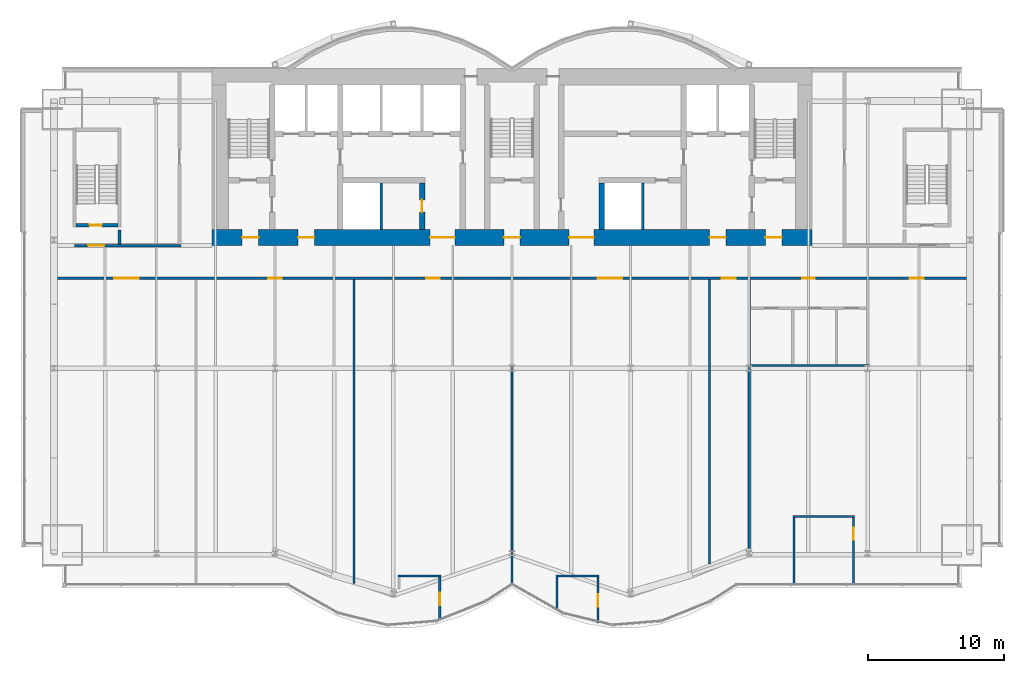
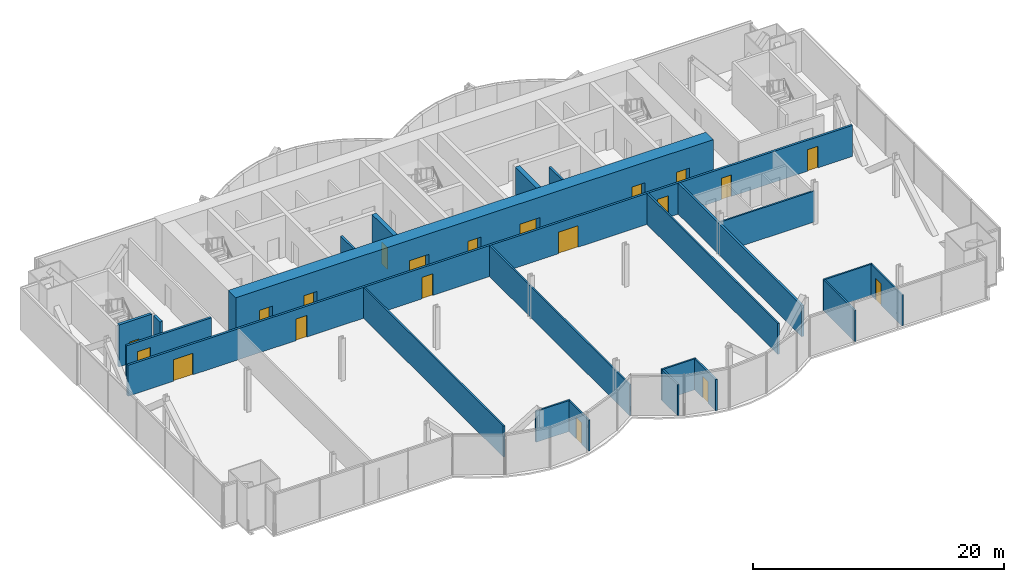
# One storey, part 15 of 21: 22 walls, 20 doors, 20 openings.
"""IFC4 building model written with IfcOpenShell, lengths in metres."""

from ifc_helpers import new_model, si_unit, direction, frame, frame_2d, origin, place, context, subcontext, project, spatial, rectangle, extrude, material, layer, layer_set, type_object, element, fill, save


model = new_model("IFC4")

# Units and contexts
model_context = context("Model", 3, precision=1e-05, world=origin(), true_north=direction((0.0, 1.0)))
body_context = subcontext(model_context, "Body", "Model", "MODEL_VIEW")
ifc_project = project(units=[si_unit("LENGTHUNIT", "METRE"), si_unit("AREAUNIT", "SQUARE_METRE"), si_unit("VOLUMEUNIT", "CUBIC_METRE"), si_unit("PLANEANGLEUNIT", "RADIAN"), si_unit("MASSUNIT", "GRAM", prefix="KILO")], contexts=[model_context])

# Site, building, storey
site_placement = place(None, origin())
site = spatial("IfcSite", under=ifc_project, at=site_placement, CompositionType="ELEMENT")
building_placement = place(site_placement, origin())
building = spatial("IfcBuilding", under=site, at=building_placement, Name="Bicima Exchange Tower", CompositionType="ELEMENT")
storey_placement = place(building_placement, frame((0.0, 0.0, 106.300048828125)))
storey = spatial("IfcBuildingStorey", under=building, at=storey_placement, Name="L22", CompositionType="ELEMENT", Elevation=106.300048828125)

# Walls
ifc_material_1 = material(Name="Gypsum board partition")
ifc_layer_1 = layer(ifc_material_1, 0.199951171875)
ifc_layer_set_1 = layer_set([ifc_layer_1], Name="Gypsum board partition")
wall_type_1 = type_object("IfcWallType", Name="Fire-rated gypsum partition 200 EI120", PredefinedType="PARTITIONING", material=ifc_layer_set_1)
for number, where, z_axis, x_axis, name in (
    (1, (-9.60009765625, -11.800048828125, 0.0), (0.0, 0.0, 1.0), (0.0, 1.0, 0.0), "partition wall 11"),
    (2, (9.60009765625, -11.800048828125, 0.0), (0.0, 0.0, 1.0), (0.0, 1.0, 0.0), "partition wall 20"),
):
    element("IfcWall", number, at=place(storey_placement, frame(where, z_axis=z_axis, x_axis=x_axis)), inside=storey, type_object=wall_type_1, Name=name, PredefinedType="PARTITIONING", context=body_context, shape_type="SweptSolid", body=[
        extrude(rectangle(XDim=3.400146484375, YDim=0.199951171875, at=frame_2d((1.7001953125, 0.0))), origin(), (0.0, 0.0, 1.0), 3.01806640625),
    ])

# Wall, openings, doors
ifc_layer_2 = layer(ifc_material_1, 0.199951171875)
ifc_layer_set_2 = layer_set([ifc_layer_2], Name="Gypsum board partition")
wall_type_2 = type_object("IfcWallType", Name="Fire-rated gypsum partition 200 EI60", PredefinedType="PARTITIONING", material=ifc_layer_set_2)
wall_1_placement = place(storey_placement, frame((-33.3701171875, -15.39990234375, 0.0), z_axis=(0.0, 0.0, 1.0), x_axis=(1.0, 0.0, 0.0)))
wall_1 = element("IfcWall", 3, at=wall_1_placement, inside=storey, type_object=wall_type_2, Name="partition wall 6", PredefinedType="PARTITIONING", context=body_context, shape_type="SweptSolid", body=[
    extrude(rectangle(XDim=66.740234375, YDim=0.199951171875, at=frame_2d((33.3701171875, 0.0))), origin(), (0.0, 0.0, 1.0), 3.01806640625),
])
opening_1_placement = place(wall_1_placement, frame((4.199951171875, 0.0, 0.0)))
opening_1 = element("IfcOpeningElement", 4, at=opening_1_placement, cuts=wall_1, Name="Opening L22-007", PredefinedType="OPENING", context=body_context, shape_type="SweptSolid", body=[
    extrude(rectangle(XDim=1.800048828125, YDim=2.10009765625, at=frame_2d((0.89990234375, 1.050048828125))), frame((0.0, 0.11181640625, 0.0), z_axis=(0.0, -1.0, 0.0), x_axis=(1.0, 0.0, 0.0)), (0.0, 0.0, 1.0), 0.223876953125),
])
opening_2_placement = place(wall_1_placement, frame((15.469970703125, 0.0, 0.0)))
opening_2 = element("IfcOpeningElement", 5, at=opening_2_placement, cuts=wall_1, Name="Opening L22-008", PredefinedType="OPENING", context=body_context, shape_type="SweptSolid", body=[
    extrude(rectangle(XDim=1.0, YDim=2.10009765625, at=frame_2d((0.5, 1.050048828125))), frame((0.0, 0.11181640625, 0.0), z_axis=(0.0, -1.0, 0.0), x_axis=(1.0, 0.0, 0.0)), (0.0, 0.0, 1.0), 0.223876953125),
])
opening_3_placement = place(wall_1_placement, frame((27.070068359375, 0.0, 0.0)))
opening_3 = element("IfcOpeningElement", 6, at=opening_3_placement, cuts=wall_1, Name="Opening L22-009", PredefinedType="OPENING", context=body_context, shape_type="SweptSolid", body=[
    extrude(rectangle(XDim=1.0, YDim=2.10009765625, at=frame_2d((0.5, 1.050048828125))), frame((0.0, 0.11181640625, 0.0), z_axis=(0.0, -1.0, 0.0), x_axis=(1.0, 0.0, 0.0)), (0.0, 0.0, 1.0), 0.223876953125),
])
opening_4_placement = place(wall_1_placement, frame((39.669921875, 0.0, 0.0)))
opening_4 = element("IfcOpeningElement", 7, at=opening_4_placement, cuts=wall_1, Name="Opening L22-010", PredefinedType="OPENING", context=body_context, shape_type="SweptSolid", body=[
    extrude(rectangle(XDim=1.800048828125, YDim=2.10009765625, at=frame_2d((0.89990234375, 1.050048828125))), frame((0.0, 0.11181640625, 0.0), z_axis=(0.0, -1.0, 0.0), x_axis=(1.0, 0.0, 0.0)), (0.0, 0.0, 1.0), 0.223876953125),
])
opening_5_placement = place(wall_1_placement, frame((48.77001953125, 0.0, 0.0)))
opening_5 = element("IfcOpeningElement", 8, at=opening_5_placement, cuts=wall_1, Name="Opening L22-011", PredefinedType="OPENING", context=body_context, shape_type="SweptSolid", body=[
    extrude(rectangle(XDim=1.0, YDim=2.10009765625, at=frame_2d((0.5, 1.050048828125))), frame((0.0, 0.11181640625, 0.0), z_axis=(0.0, -1.0, 0.0), x_axis=(1.0, 0.0, 0.0)), (0.0, 0.0, 1.0), 0.223876953125),
])
opening_6_placement = place(wall_1_placement, frame((54.669921875, 0.0, 0.0)))
opening_6 = element("IfcOpeningElement", 9, at=opening_6_placement, cuts=wall_1, Name="Opening L22-012", PredefinedType="OPENING", context=body_context, shape_type="SweptSolid", body=[
    extrude(rectangle(XDim=0.89990234375, YDim=2.10009765625, at=frame_2d((0.449951171875, 1.050048828125))), frame((0.0, 0.11181640625, 0.0), z_axis=(0.0, -1.0, 0.0), x_axis=(1.0, 0.0, 0.0)), (0.0, 0.0, 1.0), 0.223876953125),
])
opening_7_placement = place(wall_1_placement, frame((62.570068359375, 0.0, 0.0)))
opening_7 = element("IfcOpeningElement", 10, at=opening_7_placement, cuts=wall_1, Name="Opening L22-016", PredefinedType="OPENING", context=body_context, shape_type="SweptSolid", body=[
    extrude(rectangle(XDim=1.0, YDim=2.10009765625, at=frame_2d((0.5, 1.050048828125))), frame((0.0, 0.11181640625, 0.0), z_axis=(0.0, -1.0, 0.0), x_axis=(1.0, 0.0, 0.0)), (0.0, 0.0, 1.0), 0.223876953125),
])
ifc_material_2 = material(Name="Steel fire door leaf", Category="steel")
door_type_1 = type_object("IfcDoorType", Name="Door 1000 swing FD30S", OperationType="SINGLE_SWING_LEFT", PredefinedType="DOOR", material=ifc_material_2)
door_1_placement = place(opening_2_placement, frame((1.0, 0.0, 0.0), z_axis=(0.0, 0.0, 1.0), x_axis=(-1.0, 0.0, 0.0)))
door_1 = element("IfcDoor", 11, at=door_1_placement, inside=storey, type_object=door_type_1, Name="Door", OperationType="SINGLE_SWING_RIGHT", OverallHeight=2.10009765625, OverallWidth=1.0, PredefinedType="DOOR", context=body_context, shape_type="SweptSolid", body=[
    extrude(rectangle(XDim=1.0, YDim=2.10009765625, at=frame_2d((0.5, 1.050048828125))), frame((0.0, 0.02490234375, 0.0), z_axis=(0.0, -1.0, 0.0), x_axis=(1.0, 0.0, 0.0)), (0.0, 0.0, 1.0), 0.050048828125),
])
fill(opening_2, door_1)
door_2_placement = place(opening_3_placement, frame((1.0, 0.0, 0.0), z_axis=(0.0, 0.0, 1.0), x_axis=(-1.0, 0.0, 0.0)))
door_2 = element("IfcDoor", 12, at=door_2_placement, inside=storey, type_object=door_type_1, Name="Door", OperationType="SINGLE_SWING_RIGHT", OverallHeight=2.10009765625, OverallWidth=1.0, PredefinedType="DOOR", context=body_context, shape_type="SweptSolid", body=[
    extrude(rectangle(XDim=1.0, YDim=2.10009765625, at=frame_2d((0.5, 1.050048828125))), frame((0.0, 0.02490234375, 0.0), z_axis=(0.0, -1.0, 0.0), x_axis=(1.0, 0.0, 0.0)), (0.0, 0.0, 1.0), 0.050048828125),
])
fill(opening_3, door_2)
door_3_placement = place(opening_5_placement, frame((1.0, 0.0, 0.0), z_axis=(0.0, 0.0, 1.0), x_axis=(-1.0, 0.0, 0.0)))
door_3 = element("IfcDoor", 13, at=door_3_placement, inside=storey, type_object=door_type_1, Name="Door", OperationType="SINGLE_SWING_RIGHT", OverallHeight=2.10009765625, OverallWidth=1.0, PredefinedType="DOOR", context=body_context, shape_type="SweptSolid", body=[
    extrude(rectangle(XDim=1.0, YDim=2.10009765625, at=frame_2d((0.5, 1.050048828125))), frame((0.0, 0.02490234375, 0.0), z_axis=(0.0, -1.0, 0.0), x_axis=(1.0, 0.0, 0.0)), (0.0, 0.0, 1.0), 0.050048828125),
])
fill(opening_5, door_3)
door_4_placement = place(opening_7_placement, frame((1.0, 0.0, 0.0), z_axis=(0.0, 0.0, 1.0), x_axis=(-1.0, 0.0, 0.0)))
door_4 = element("IfcDoor", 14, at=door_4_placement, inside=storey, type_object=door_type_1, Name="Door", OperationType="SINGLE_SWING_LEFT", OverallHeight=2.10009765625, OverallWidth=1.0, PredefinedType="DOOR", context=body_context, shape_type="SweptSolid", body=[
    extrude(rectangle(XDim=1.0, YDim=2.10009765625, at=frame_2d((0.5, 1.050048828125))), frame((0.0, 0.02490234375, 0.0), z_axis=(0.0, -1.0, 0.0), x_axis=(1.0, 0.0, 0.0)), (0.0, 0.0, 1.0), 0.050048828125),
])
fill(opening_7, door_4)
door_type_2 = type_object("IfcDoorType", Name="Door 1800 double swing FD30S", OperationType="DOUBLE_DOOR_SINGLE_SWING", PredefinedType="DOOR", material=ifc_material_2)
door_5_placement = place(opening_1_placement, origin())
door_5 = element("IfcDoor", 15, at=door_5_placement, inside=storey, type_object=door_type_2, Name="Door", OperationType="SINGLE_SWING_LEFT", OverallHeight=2.10009765625, OverallWidth=1.800048828125, PredefinedType="DOOR", context=body_context, shape_type="SweptSolid", body=[
    extrude(rectangle(XDim=1.800048828125, YDim=2.10009765625, at=frame_2d((0.89990234375, 1.050048828125))), frame((0.0, 0.02490234375, 0.0), z_axis=(0.0, -1.0, 0.0), x_axis=(1.0, 0.0, 0.0)), (0.0, 0.0, 1.0), 0.050048828125),
])
fill(opening_1, door_5)
door_6_placement = place(opening_4_placement, origin())
door_6 = element("IfcDoor", 16, at=door_6_placement, inside=storey, type_object=door_type_2, Name="Door", OperationType="SINGLE_SWING_LEFT", OverallHeight=2.10009765625, OverallWidth=1.800048828125, PredefinedType="DOOR", context=body_context, shape_type="SweptSolid", body=[
    extrude(rectangle(XDim=1.800048828125, YDim=2.10009765625, at=frame_2d((0.89990234375, 1.050048828125))), frame((0.0, 0.02490234375, 0.0), z_axis=(0.0, -1.0, 0.0), x_axis=(1.0, 0.0, 0.0)), (0.0, 0.0, 1.0), 0.050048828125),
])
fill(opening_4, door_6)
door_type_3 = type_object("IfcDoorType", Name="Door 900 swing FD30S", OperationType="SINGLE_SWING_LEFT", PredefinedType="DOOR", material=ifc_material_2)
door_7_placement = place(opening_6_placement, frame((0.89990234375, 0.0, 0.0), z_axis=(0.0, 0.0, 1.0), x_axis=(-1.0, 0.0, 0.0)))
door_7 = element("IfcDoor", 17, at=door_7_placement, inside=storey, type_object=door_type_3, Name="Door", OperationType="SINGLE_SWING_RIGHT", OverallHeight=2.10009765625, OverallWidth=0.89990234375, PredefinedType="DOOR", context=body_context, shape_type="SweptSolid", body=[
    extrude(rectangle(XDim=0.89990234375, YDim=2.10009765625, at=frame_2d((0.449951171875, 1.050048828125))), frame((0.0, 0.02490234375, 0.0), z_axis=(0.0, -1.0, 0.0), x_axis=(1.0, 0.0, 0.0)), (0.0, 0.0, 1.0), 0.050048828125),
])
fill(opening_6, door_7)

# Wall, opening, door
wall_2_placement = place(storey_placement, frame((-32.10009765625, -13.0, 0.0), z_axis=(0.0, 0.0, 1.0), x_axis=(1.0, 0.0, 0.0)))
wall_2 = element("IfcWall", 18, at=wall_2_placement, inside=storey, type_object=wall_type_2, Name="partition wall 7", PredefinedType="PARTITIONING", context=body_context, shape_type="SweptSolid", body=[
    extrude(rectangle(XDim=7.800048828125, YDim=0.199951171875, at=frame_2d((3.89990234375, 0.0))), origin(), (0.0, 0.0, 1.0), 3.01806640625),
])
opening_8_placement = place(wall_2_placement, frame((1.0, 0.0, 0.0)))
opening_8 = element("IfcOpeningElement", 19, at=opening_8_placement, cuts=wall_2, Name="Opening L22-001", PredefinedType="OPENING", context=body_context, shape_type="SweptSolid", body=[
    extrude(rectangle(XDim=1.199951171875, YDim=2.10009765625, at=frame_2d((0.60009765625, 1.050048828125))), frame((0.0, 0.11181640625, 0.0), z_axis=(0.0, -1.0, 0.0), x_axis=(1.0, 0.0, 0.0)), (0.0, 0.0, 1.0), 0.223876953125),
])
door_type_4 = type_object("IfcDoorType", Name="Door 1200 swing FD30S", OperationType="SINGLE_SWING_LEFT", PredefinedType="DOOR", material=ifc_material_2)
door_8_placement = place(opening_8_placement, origin())
door_8 = element("IfcDoor", 20, at=door_8_placement, inside=storey, type_object=door_type_4, Name="Door", OperationType="SINGLE_SWING_LEFT", OverallHeight=2.10009765625, OverallWidth=1.199951171875, PredefinedType="DOOR", context=body_context, shape_type="SweptSolid", body=[
    extrude(rectangle(XDim=1.199951171875, YDim=2.10009765625, at=frame_2d((0.60009765625, 1.050048828125))), frame((0.0, 0.02490234375, 0.0), z_axis=(0.0, -1.0, 0.0), x_axis=(1.0, 0.0, 0.0)), (0.0, 0.0, 1.0), 0.050048828125),
])
fill(opening_8, door_8)

# Walls
wall_3_placement = place(storey_placement, frame((17.39990234375, -35.2080078125, 0.0), z_axis=(0.0, 0.0, 1.0), x_axis=(0.0, 1.0, 0.0)))
element("IfcWall", 21, at=wall_3_placement, inside=storey, type_object=wall_type_2, Name="partition wall 26", PredefinedType="PARTITIONING", context=body_context, shape_type="SweptSolid", body=[
    extrude(rectangle(XDim=19.7080078125, YDim=0.199951171875, at=frame_2d((9.85400390625, 0.0))), origin(), (0.0, 0.0, 1.0), 3.01806640625),
])
ifc_layer_3 = layer(ifc_material_1, 0.14990234375)
ifc_layer_set_3 = layer_set([ifc_layer_3], Name="Gypsum board partition")
wall_type_3 = type_object("IfcWallType", Name="Gypsum partition 150", PredefinedType="PARTITIONING", material=ifc_layer_set_3)
for number, where, z_axis, x_axis, name in (
    (22, (-8.375, -37.25, 0.0), (0.0, 0.0, 1.0), (1.0, 0.0, 0.0), "partition wall 1"),
    (23, (3.22509765625, -37.25, 0.0), (0.0, 0.0, 1.0), (1.0, 0.0, 0.0), "partition wall 2"),
):
    element("IfcWall", number, at=place(storey_placement, frame(where, z_axis=z_axis, x_axis=x_axis)), inside=storey, type_object=wall_type_3, Name=name, PredefinedType="PARTITIONING", context=body_context, shape_type="SweptSolid", body=[
        extrude(rectangle(XDim=3.14990234375, YDim=0.14990234375, at=frame_2d((1.574951171875, 0.0))), origin(), (0.0, 0.0, 1.0), 3.01806640625),
    ])
wall_4_placement = place(storey_placement, frame((20.625, -32.889892578125, 0.0), z_axis=(0.0, 0.0, 1.0), x_axis=(1.0, 0.0, 0.0)))
element("IfcWall", 24, at=wall_4_placement, inside=storey, type_object=wall_type_3, Name="partition wall 3", PredefinedType="PARTITIONING", context=body_context, shape_type="SweptSolid", body=[
    extrude(rectangle(XDim=4.5, YDim=0.14990234375, at=frame_2d((2.25, 0.0))), origin(), (0.0, 0.0, 1.0), 3.01806640625),
])
wall_5_placement = place(storey_placement, frame((17.5, -21.800048828125, 0.0), z_axis=(0.0, 0.0, 1.0), x_axis=(1.0, 0.0, 0.0)))
element("IfcWall", 25, at=wall_5_placement, inside=storey, type_object=wall_type_3, Name="partition wall 4", PredefinedType="PARTITIONING", context=body_context, shape_type="SweptSolid", body=[
    extrude(rectangle(XDim=8.699951171875, YDim=0.14990234375, at=frame_2d((4.35009765625, 0.0))), origin(), (0.0, 0.0, 1.0), 3.01806640625),
])
wall_6_placement = place(storey_placement, frame((-11.60009765625, -37.783203125, 0.0), z_axis=(0.0, 0.0, 1.0), x_axis=(0.0, 1.0, 0.0)))
element("IfcWall", 26, at=wall_6_placement, inside=storey, type_object=wall_type_3, Name="partition wall 19", PredefinedType="PARTITIONING", context=body_context, shape_type="SweptSolid", body=[
    extrude(rectangle(XDim=22.283203125, YDim=0.14990234375, at=frame_2d((11.1416015625, 0.0))), origin(), (0.0, 0.0, 1.0), 3.01806640625),
])

# Wall, opening, door
wall_7_placement = place(storey_placement, frame((-5.300048828125, -40.47998046875, 0.0), z_axis=(0.0, 0.0, 1.0), x_axis=(0.0, 1.0, 0.0)))
wall_7 = element("IfcWall", 27, at=wall_7_placement, inside=storey, type_object=wall_type_3, Name="partition wall 21", PredefinedType="PARTITIONING", context=body_context, shape_type="SweptSolid", body=[
    extrude(rectangle(XDim=3.155029296875, YDim=0.14990234375, at=frame_2d((1.57763671875, 0.0))), origin(), (0.0, 0.0, 1.0), 3.01806640625),
])
opening_9_placement = place(wall_7_placement, frame((1.10009765625, 0.0, 0.0)))
opening_9 = element("IfcOpeningElement", 28, at=opening_9_placement, cuts=wall_7, Name="Opening L22-017", PredefinedType="OPENING", context=body_context, shape_type="SweptSolid", body=[
    extrude(rectangle(XDim=0.89990234375, YDim=2.10009765625, at=frame_2d((0.449951171875, 1.050048828125))), frame((0.0, 0.0869140625, 0.0), z_axis=(0.0, -1.0, 0.0), x_axis=(1.0, 0.0, 0.0)), (0.0, 0.0, 1.0), 0.173828125),
])
ifc_material_3 = material(Name="Timber door leaf", Category="wood")
door_type_5 = type_object("IfcDoorType", Name="Door 900 swing", OperationType="SINGLE_SWING_LEFT", PredefinedType="DOOR", material=ifc_material_3)
door_9_placement = place(opening_9_placement, origin())
door_9 = element("IfcDoor", 29, at=door_9_placement, inside=storey, type_object=door_type_5, Name="Door", OperationType="SINGLE_SWING_LEFT", OverallHeight=2.10009765625, OverallWidth=0.89990234375, PredefinedType="DOOR", context=body_context, shape_type="SweptSolid", body=[
    extrude(rectangle(XDim=0.89990234375, YDim=2.10009765625, at=frame_2d((0.449951171875, 1.050048828125))), frame((0.0, 0.02490234375, 0.0), z_axis=(0.0, -1.0, 0.0), x_axis=(1.0, 0.0, 0.0)), (0.0, 0.0, 1.0), 0.050048828125),
])
fill(opening_9, door_9)

# Walls
wall_8_placement = place(storey_placement, frame((0.0, -37.85009765625, 0.0), z_axis=(0.0, 0.0, 1.0), x_axis=(0.0, 1.0, 0.0)))
element("IfcWall", 30, at=wall_8_placement, inside=storey, type_object=wall_type_3, Name="partition wall 22", PredefinedType="PARTITIONING", context=body_context, shape_type="SweptSolid", body=[
    extrude(rectangle(XDim=22.35009765625, YDim=0.14990234375, at=frame_2d((11.175048828125, 0.0))), origin(), (0.0, 0.0, 1.0), 3.01806640625),
])
wall_9_placement = place(storey_placement, frame((3.300048828125, -39.760009765625, 0.0), z_axis=(0.0, 0.0, 1.0), x_axis=(0.0, 1.0, 0.0)))
element("IfcWall", 31, at=wall_9_placement, inside=storey, type_object=wall_type_3, Name="partition wall 23", PredefinedType="PARTITIONING", context=body_context, shape_type="SweptSolid", body=[
    extrude(rectangle(XDim=2.43505859375, YDim=0.14990234375, at=frame_2d((1.217529296875, 0.0))), origin(), (0.0, 0.0, 1.0), 3.01806640625),
])

# Wall, opening, door
wall_10_placement = place(storey_placement, frame((6.300048828125, -40.679931640625, 0.0), z_axis=(0.0, 0.0, 1.0), x_axis=(0.0, 1.0, 0.0)))
wall_10 = element("IfcWall", 32, at=wall_10_placement, inside=storey, type_object=wall_type_3, Name="partition wall 24", PredefinedType="PARTITIONING", context=body_context, shape_type="SweptSolid", body=[
    extrude(rectangle(XDim=3.35498046875, YDim=0.14990234375, at=frame_2d((1.677490234375, 0.0))), origin(), (0.0, 0.0, 1.0), 3.01806640625),
])
opening_10_placement = place(wall_10_placement, frame((1.199951171875, 0.0, 0.0)))
opening_10 = element("IfcOpeningElement", 33, at=opening_10_placement, cuts=wall_10, Name="Opening L22-018", PredefinedType="OPENING", context=body_context, shape_type="SweptSolid", body=[
    extrude(rectangle(XDim=0.89990234375, YDim=2.10009765625, at=frame_2d((0.449951171875, 1.050048828125))), frame((0.0, 0.0869140625, 0.0), z_axis=(0.0, -1.0, 0.0), x_axis=(1.0, 0.0, 0.0)), (0.0, 0.0, 1.0), 0.173828125),
])
door_10_placement = place(opening_10_placement, origin())
door_10 = element("IfcDoor", 34, at=door_10_placement, inside=storey, type_object=door_type_5, Name="Door", OperationType="SINGLE_SWING_RIGHT", OverallHeight=2.10009765625, OverallWidth=0.89990234375, PredefinedType="DOOR", context=body_context, shape_type="SweptSolid", body=[
    extrude(rectangle(XDim=0.89990234375, YDim=2.10009765625, at=frame_2d((0.449951171875, 1.050048828125))), frame((0.0, 0.02490234375, 0.0), z_axis=(0.0, -1.0, 0.0), x_axis=(1.0, 0.0, 0.0)), (0.0, 0.0, 1.0), 0.050048828125),
])
fill(opening_10, door_10)

# Walls
wall_11_placement = place(storey_placement, frame((14.5, -36.367919921875, 0.0), z_axis=(0.0, 0.0, 1.0), x_axis=(0.0, 1.0, 0.0)))
element("IfcWall", 35, at=wall_11_placement, inside=storey, type_object=wall_type_3, Name="partition wall 25", PredefinedType="PARTITIONING", context=body_context, shape_type="SweptSolid", body=[
    extrude(rectangle(XDim=20.867919921875, YDim=0.14990234375, at=frame_2d((10.43408203125, 0.0))), origin(), (0.0, 0.0, 1.0), 3.01806640625),
])
wall_12_placement = place(storey_placement, frame((20.699951171875, -37.889892578125, 0.0), z_axis=(0.0, 0.0, 1.0), x_axis=(0.0, 1.0, 0.0)))
element("IfcWall", 36, at=wall_12_placement, inside=storey, type_object=wall_type_3, Name="partition wall 28", PredefinedType="PARTITIONING", context=body_context, shape_type="SweptSolid", body=[
    extrude(rectangle(XDim=4.9248046875, YDim=0.14990234375, at=frame_2d((2.46240234375, 0.0))), origin(), (0.0, 0.0, 1.0), 3.01806640625),
])

# Wall, opening, door
wall_13_placement = place(storey_placement, frame((25.050048828125, -37.889892578125, 0.0), z_axis=(0.0, 0.0, 1.0), x_axis=(0.0, 1.0, 0.0)))
wall_13 = element("IfcWall", 37, at=wall_13_placement, inside=storey, type_object=wall_type_3, Name="partition wall 31", PredefinedType="PARTITIONING", context=body_context, shape_type="SweptSolid", body=[
    extrude(rectangle(XDim=4.9248046875, YDim=0.14990234375, at=frame_2d((2.46240234375, 0.0))), origin(), (0.0, 0.0, 1.0), 3.01806640625),
])
opening_11_placement = place(wall_13_placement, frame((3.300048828125, 0.0, 0.0)))
opening_11 = element("IfcOpeningElement", 38, at=opening_11_placement, cuts=wall_13, Name="Opening L22-019", PredefinedType="OPENING", context=body_context, shape_type="SweptSolid", body=[
    extrude(rectangle(XDim=0.89990234375, YDim=2.10009765625, at=frame_2d((0.449951171875, 1.050048828125))), frame((0.0, 0.0869140625, 0.0), z_axis=(0.0, -1.0, 0.0), x_axis=(1.0, 0.0, 0.0)), (0.0, 0.0, 1.0), 0.173828125),
])
door_11_placement = place(opening_11_placement, origin())
door_11 = element("IfcDoor", 39, at=door_11_placement, inside=storey, type_object=door_type_5, Name="Door", OperationType="SINGLE_SWING_LEFT", OverallHeight=2.10009765625, OverallWidth=0.89990234375, PredefinedType="DOOR", context=body_context, shape_type="SweptSolid", body=[
    extrude(rectangle(XDim=0.89990234375, YDim=2.10009765625, at=frame_2d((0.449951171875, 1.050048828125))), frame((0.0, 0.02490234375, 0.0), z_axis=(0.0, -1.0, 0.0), x_axis=(1.0, 0.0, 0.0)), (0.0, 0.0, 1.0), 0.050048828125),
])
fill(opening_11, door_11)

# Wall, openings, doors
ifc_material_4 = material(Name="Concrete C60/75", Category="concrete")
ifc_layer_4 = layer(ifc_material_4, 1.199951171875)
ifc_layer_set_4 = layer_set([ifc_layer_4], Name="Concrete C60/75")
wall_type_4 = type_object("IfcWallType", Name="RC core wall 1200 C60/75", PredefinedType="SHEAR", material=ifc_layer_set_4)
wall_14_placement = place(storey_placement, frame((-22.0, -12.39990234375, 0.0), z_axis=(0.0, 0.0, 1.0), x_axis=(1.0, 0.0, 0.0)))
wall_14 = element("IfcWall", 40, at=wall_14_placement, inside=storey, type_object=wall_type_4, Name="Core wall south", PredefinedType="SHEAR", context=body_context, shape_type="SweptSolid", body=[
    extrude(rectangle(XDim=44.0, YDim=1.199951171875, at=frame_2d((22.0, 0.0))), origin(), (0.0, 0.0, 1.0), 4.099853515625),
])
opening_12_placement = place(wall_14_placement, frame((2.199951171875, 0.0, 0.0)))
opening_12 = element("IfcOpeningElement", 41, at=opening_12_placement, cuts=wall_14, Name="Opening L22-C17", PredefinedType="OPENING", context=body_context, shape_type="SweptSolid", body=[
    extrude(rectangle(XDim=1.199951171875, YDim=2.10009765625, at=frame_2d((0.60009765625, 1.050048828125))), frame((0.0, 0.61181640625, 0.0), z_axis=(0.0, -1.0, 0.0), x_axis=(1.0, 0.0, 0.0)), (0.0, 0.0, 1.0), 1.223876953125),
])
opening_13_placement = place(wall_14_placement, frame((21.39990234375, 0.0, 0.0)))
opening_13 = element("IfcOpeningElement", 42, at=opening_13_placement, cuts=wall_14, Name="Opening L22-C18", PredefinedType="OPENING", context=body_context, shape_type="SweptSolid", body=[
    extrude(rectangle(XDim=1.199951171875, YDim=2.10009765625, at=frame_2d((0.60009765625, 1.050048828125))), frame((0.0, 0.61181640625, 0.0), z_axis=(0.0, -1.0, 0.0), x_axis=(1.0, 0.0, 0.0)), (0.0, 0.0, 1.0), 1.223876953125),
])
opening_14_placement = place(wall_14_placement, frame((40.60009765625, 0.0, 0.0)))
opening_14 = element("IfcOpeningElement", 43, at=opening_14_placement, cuts=wall_14, Name="Opening L22-C19", PredefinedType="OPENING", context=body_context, shape_type="SweptSolid", body=[
    extrude(rectangle(XDim=1.199951171875, YDim=2.10009765625, at=frame_2d((0.60009765625, 1.050048828125))), frame((0.0, 0.61181640625, 0.0), z_axis=(0.0, -1.0, 0.0), x_axis=(1.0, 0.0, 0.0)), (0.0, 0.0, 1.0), 1.223876953125),
])
opening_15_placement = place(wall_14_placement, frame((16.0, 0.0, 0.0)))
opening_15 = element("IfcOpeningElement", 44, at=opening_15_placement, cuts=wall_14, Name="Opening L22-C20", PredefinedType="OPENING", context=body_context, shape_type="SweptSolid", body=[
    extrude(rectangle(XDim=1.800048828125, YDim=2.10009765625, at=frame_2d((0.89990234375, 1.050048828125))), frame((0.0, 0.61181640625, 0.0), z_axis=(0.0, -1.0, 0.0), x_axis=(1.0, 0.0, 0.0)), (0.0, 0.0, 1.0), 1.223876953125),
])
opening_16_placement = place(wall_14_placement, frame((6.300048828125, 0.0, 0.0)))
opening_16 = element("IfcOpeningElement", 45, at=opening_16_placement, cuts=wall_14, Name="Opening L22-C21", PredefinedType="OPENING", context=body_context, shape_type="SweptSolid", body=[
    extrude(rectangle(XDim=1.199951171875, YDim=2.10009765625, at=frame_2d((0.60009765625, 1.050048828125))), frame((0.0, 0.61181640625, 0.0), z_axis=(0.0, -1.0, 0.0), x_axis=(1.0, 0.0, 0.0)), (0.0, 0.0, 1.0), 1.223876953125),
])
opening_17_placement = place(wall_14_placement, frame((26.199951171875, 0.0, 0.0)))
opening_17 = element("IfcOpeningElement", 46, at=opening_17_placement, cuts=wall_14, Name="Opening L22-C22", PredefinedType="OPENING", context=body_context, shape_type="SweptSolid", body=[
    extrude(rectangle(XDim=1.800048828125, YDim=2.10009765625, at=frame_2d((0.89990234375, 1.050048828125))), frame((0.0, 0.61181640625, 0.0), z_axis=(0.0, -1.0, 0.0), x_axis=(1.0, 0.0, 0.0)), (0.0, 0.0, 1.0), 1.223876953125),
])
opening_18_placement = place(wall_14_placement, frame((36.5, 0.0, 0.0)))
opening_18 = element("IfcOpeningElement", 47, at=opening_18_placement, cuts=wall_14, Name="Opening L22-C23", PredefinedType="OPENING", context=body_context, shape_type="SweptSolid", body=[
    extrude(rectangle(XDim=1.199951171875, YDim=2.10009765625, at=frame_2d((0.60009765625, 1.050048828125))), frame((0.0, 0.61181640625, 0.0), z_axis=(0.0, -1.0, 0.0), x_axis=(1.0, 0.0, 0.0)), (0.0, 0.0, 1.0), 1.223876953125),
])
door_type_6 = type_object("IfcDoorType", Name="Door 1200 swing FD60S", OperationType="SINGLE_SWING_LEFT", PredefinedType="DOOR", material=ifc_material_2)
door_12_placement = place(opening_12_placement, frame((1.199951171875, 0.0, 0.0), z_axis=(0.0, 0.0, 1.0), x_axis=(-1.0, 0.0, 0.0)))
door_12 = element("IfcDoor", 48, at=door_12_placement, inside=storey, type_object=door_type_6, Name="Core door", OperationType="SINGLE_SWING_RIGHT", OverallHeight=2.10009765625, OverallWidth=1.199951171875, PredefinedType="DOOR", context=body_context, shape_type="SweptSolid", body=[
    extrude(rectangle(XDim=1.199951171875, YDim=2.10009765625, at=frame_2d((0.60009765625, 1.050048828125))), frame((0.0, 0.02490234375, 0.0), z_axis=(0.0, -1.0, 0.0), x_axis=(1.0, 0.0, 0.0)), (0.0, 0.0, 1.0), 0.050048828125),
])
fill(opening_12, door_12)
door_13_placement = place(opening_13_placement, frame((1.199951171875, 0.0, 0.0), z_axis=(0.0, 0.0, 1.0), x_axis=(-1.0, 0.0, 0.0)))
door_13 = element("IfcDoor", 49, at=door_13_placement, inside=storey, type_object=door_type_6, Name="Core door", OperationType="SINGLE_SWING_RIGHT", OverallHeight=2.10009765625, OverallWidth=1.199951171875, PredefinedType="DOOR", context=body_context, shape_type="SweptSolid", body=[
    extrude(rectangle(XDim=1.199951171875, YDim=2.10009765625, at=frame_2d((0.60009765625, 1.050048828125))), frame((0.0, 0.02490234375, 0.0), z_axis=(0.0, -1.0, 0.0), x_axis=(1.0, 0.0, 0.0)), (0.0, 0.0, 1.0), 0.050048828125),
])
fill(opening_13, door_13)
door_14_placement = place(opening_14_placement, frame((1.199951171875, 0.0, 0.0), z_axis=(0.0, 0.0, 1.0), x_axis=(-1.0, 0.0, 0.0)))
door_14 = element("IfcDoor", 50, at=door_14_placement, inside=storey, type_object=door_type_6, Name="Core door", OperationType="SINGLE_SWING_RIGHT", OverallHeight=2.10009765625, OverallWidth=1.199951171875, PredefinedType="DOOR", context=body_context, shape_type="SweptSolid", body=[
    extrude(rectangle(XDim=1.199951171875, YDim=2.10009765625, at=frame_2d((0.60009765625, 1.050048828125))), frame((0.0, 0.02490234375, 0.0), z_axis=(0.0, -1.0, 0.0), x_axis=(1.0, 0.0, 0.0)), (0.0, 0.0, 1.0), 0.050048828125),
])
fill(opening_14, door_14)
door_15_placement = place(opening_16_placement, frame((1.199951171875, 0.0, 0.0), z_axis=(0.0, 0.0, 1.0), x_axis=(-1.0, 0.0, 0.0)))
door_15 = element("IfcDoor", 51, at=door_15_placement, inside=storey, type_object=door_type_6, Name="Core door", OperationType="SINGLE_SWING_RIGHT", OverallHeight=2.10009765625, OverallWidth=1.199951171875, PredefinedType="DOOR", context=body_context, shape_type="SweptSolid", body=[
    extrude(rectangle(XDim=1.199951171875, YDim=2.10009765625, at=frame_2d((0.60009765625, 1.050048828125))), frame((0.0, 0.02490234375, 0.0), z_axis=(0.0, -1.0, 0.0), x_axis=(1.0, 0.0, 0.0)), (0.0, 0.0, 1.0), 0.050048828125),
])
fill(opening_16, door_15)
door_16_placement = place(opening_18_placement, frame((1.199951171875, 0.0, 0.0), z_axis=(0.0, 0.0, 1.0), x_axis=(-1.0, 0.0, 0.0)))
door_16 = element("IfcDoor", 52, at=door_16_placement, inside=storey, type_object=door_type_6, Name="Core door", OperationType="SINGLE_SWING_RIGHT", OverallHeight=2.10009765625, OverallWidth=1.199951171875, PredefinedType="DOOR", context=body_context, shape_type="SweptSolid", body=[
    extrude(rectangle(XDim=1.199951171875, YDim=2.10009765625, at=frame_2d((0.60009765625, 1.050048828125))), frame((0.0, 0.02490234375, 0.0), z_axis=(0.0, -1.0, 0.0), x_axis=(1.0, 0.0, 0.0)), (0.0, 0.0, 1.0), 0.050048828125),
])
fill(opening_18, door_16)
door_17_placement = place(opening_15_placement, origin())
door_17 = element("IfcDoor", 53, at=door_17_placement, inside=storey, type_object=door_type_2, Name="Core door", OperationType="SINGLE_SWING_LEFT", OverallHeight=2.10009765625, OverallWidth=1.800048828125, PredefinedType="DOOR", context=body_context, shape_type="SweptSolid", body=[
    extrude(rectangle(XDim=1.800048828125, YDim=2.10009765625, at=frame_2d((0.89990234375, 1.050048828125))), frame((0.0, 0.02490234375, 0.0), z_axis=(0.0, -1.0, 0.0), x_axis=(1.0, 0.0, 0.0)), (0.0, 0.0, 1.0), 0.050048828125),
])
fill(opening_15, door_17)
door_18_placement = place(opening_17_placement, origin())
door_18 = element("IfcDoor", 54, at=door_18_placement, inside=storey, type_object=door_type_2, Name="Core door", OperationType="SINGLE_SWING_LEFT", OverallHeight=2.10009765625, OverallWidth=1.800048828125, PredefinedType="DOOR", context=body_context, shape_type="SweptSolid", body=[
    extrude(rectangle(XDim=1.800048828125, YDim=2.10009765625, at=frame_2d((0.89990234375, 1.050048828125))), frame((0.0, 0.02490234375, 0.0), z_axis=(0.0, -1.0, 0.0), x_axis=(1.0, 0.0, 0.0)), (0.0, 0.0, 1.0), 0.050048828125),
])
fill(opening_17, door_18)

# Wall
ifc_material_5 = material(Name="Concrete C50/60", Category="concrete")
ifc_layer_5 = layer(ifc_material_5, 0.25)
ifc_layer_set_5 = layer_set([ifc_layer_5], Name="Concrete C50/60")
wall_type_5 = type_object("IfcWallType", Name="RC core wall 250 C50/60", PredefinedType="SHEAR", material=ifc_layer_set_5)
wall_15_placement = place(storey_placement, frame((-28.800048828125, -12.89990234375, 0.0), z_axis=(0.0, 0.0, 1.0), x_axis=(0.0, 1.0, 0.0)))
element("IfcWall", 55, at=wall_15_placement, inside=storey, type_object=wall_type_5, Name="stair wall 16", PredefinedType="SHEAR", context=body_context, shape_type="SweptSolid", body=[
    extrude(rectangle(XDim=1.0498046875, YDim=0.25, at=frame_2d((0.52490234375, 0.0))), origin(), (0.0, 0.0, 1.0), 4.099853515625),
])

# Wall, opening, door
ifc_layer_6 = layer(ifc_material_4, 0.39990234375)
ifc_layer_set_6 = layer_set([ifc_layer_6], Name="Concrete C60/75")
wall_type_6 = type_object("IfcWallType", Name="RC core wall 400 C60/75", PredefinedType="SHEAR", material=ifc_layer_set_6)
wall_16_placement = place(storey_placement, frame((-6.60009765625, -11.800048828125, 0.0), z_axis=(0.0, 0.0, 1.0), x_axis=(0.0, 1.0, 0.0)))
wall_16 = element("IfcWall", 56, at=wall_16_placement, inside=storey, type_object=wall_type_6, Name="shear wall 13", PredefinedType="SHEAR", context=body_context, shape_type="SweptSolid", body=[
    extrude(rectangle(XDim=3.400146484375, YDim=0.39990234375, at=frame_2d((1.7001953125, 0.0))), origin(), (0.0, 0.0, 1.0), 4.099853515625),
])
opening_19_placement = place(wall_16_placement, frame((1.25, 0.0, 0.0)))
opening_19 = element("IfcOpeningElement", 57, at=opening_19_placement, cuts=wall_16, Name="Opening L22-C13", PredefinedType="OPENING", context=body_context, shape_type="SweptSolid", body=[
    extrude(rectangle(XDim=0.89990234375, YDim=2.10009765625, at=frame_2d((0.449951171875, 1.050048828125))), frame((0.0, 0.2119140625, 0.0), z_axis=(0.0, -1.0, 0.0), x_axis=(1.0, 0.0, 0.0)), (0.0, 0.0, 1.0), 0.423828125),
])
door_19_placement = place(opening_19_placement, origin())
door_19 = element("IfcDoor", 58, at=door_19_placement, inside=storey, type_object=door_type_3, Name="Core door", OperationType="SINGLE_SWING_LEFT", OverallHeight=2.10009765625, OverallWidth=0.89990234375, PredefinedType="DOOR", context=body_context, shape_type="SweptSolid", body=[
    extrude(rectangle(XDim=0.89990234375, YDim=2.10009765625, at=frame_2d((0.449951171875, 1.050048828125))), frame((0.0, 0.02490234375, 0.0), z_axis=(0.0, -1.0, 0.0), x_axis=(1.0, 0.0, 0.0)), (0.0, 0.0, 1.0), 0.050048828125),
])
fill(opening_19, door_19)

# Wall
wall_17_placement = place(storey_placement, frame((6.60009765625, -11.800048828125, 0.0), z_axis=(0.0, 0.0, 1.0), x_axis=(0.0, 1.0, 0.0)))
element("IfcWall", 59, at=wall_17_placement, inside=storey, type_object=wall_type_6, Name="shear wall 19", PredefinedType="SHEAR", context=body_context, shape_type="SweptSolid", body=[
    extrude(rectangle(XDim=3.400146484375, YDim=0.39990234375, at=frame_2d((1.7001953125, 0.0))), origin(), (0.0, 0.0, 1.0), 4.099853515625),
])

# Wall, opening, door
ifc_layer_7 = layer(ifc_material_5, 0.25)
ifc_layer_set_7 = layer_set([ifc_layer_7], Name="Concrete C50/60")
wall_type_7 = type_object("IfcWallType", Name="RC stair enclosure wall 250 C50/60", PredefinedType="SHEAR", material=ifc_layer_set_7)
wall_18_placement = place(storey_placement, frame((-31.97509765625, -11.5, 0.0), z_axis=(0.0, 0.0, 1.0), x_axis=(1.0, 0.0, 0.0)))
wall_18 = element("IfcWall", 60, at=wall_18_placement, inside=storey, type_object=wall_type_7, Name="West end exit stair wall S", PredefinedType="SHEAR", context=body_context, shape_type="SweptSolid", body=[
    extrude(rectangle(XDim=3.050048828125, YDim=0.25, at=frame_2d((1.52490234375, 0.0))), origin(), (0.0, 0.0, 1.0), 4.099853515625),
])
opening_20_placement = place(wall_18_placement, frame((0.97509765625, 0.0, 0.0)))
opening_20 = element("IfcOpeningElement", 61, at=opening_20_placement, cuts=wall_18, Name="Opening L22-002", PredefinedType="OPENING", context=body_context, shape_type="SweptSolid", body=[
    extrude(rectangle(XDim=0.89990234375, YDim=2.10009765625, at=frame_2d((0.449951171875, 1.050048828125))), frame((0.0, 0.136962890625, 0.0), z_axis=(0.0, -1.0, 0.0), x_axis=(1.0, 0.0, 0.0)), (0.0, 0.0, 1.0), 0.27392578125),
])
door_type_7 = type_object("IfcDoorType", Name="Door 900 swing FD60S", OperationType="SINGLE_SWING_LEFT", PredefinedType="DOOR", material=ifc_material_2)
door_20_placement = place(opening_20_placement, origin())
door_20 = element("IfcDoor", 62, at=door_20_placement, inside=storey, type_object=door_type_7, Name="Door", OperationType="SINGLE_SWING_LEFT", OverallHeight=2.10009765625, OverallWidth=0.89990234375, PredefinedType="DOOR", context=body_context, shape_type="SweptSolid", body=[
    extrude(rectangle(XDim=0.89990234375, YDim=2.10009765625, at=frame_2d((0.449951171875, 1.050048828125))), frame((0.0, 0.02490234375, 0.0), z_axis=(0.0, -1.0, 0.0), x_axis=(1.0, 0.0, 0.0)), (0.0, 0.0, 1.0), 0.050048828125),
])
fill(opening_20, door_20)

save(model, "model.ifc")
